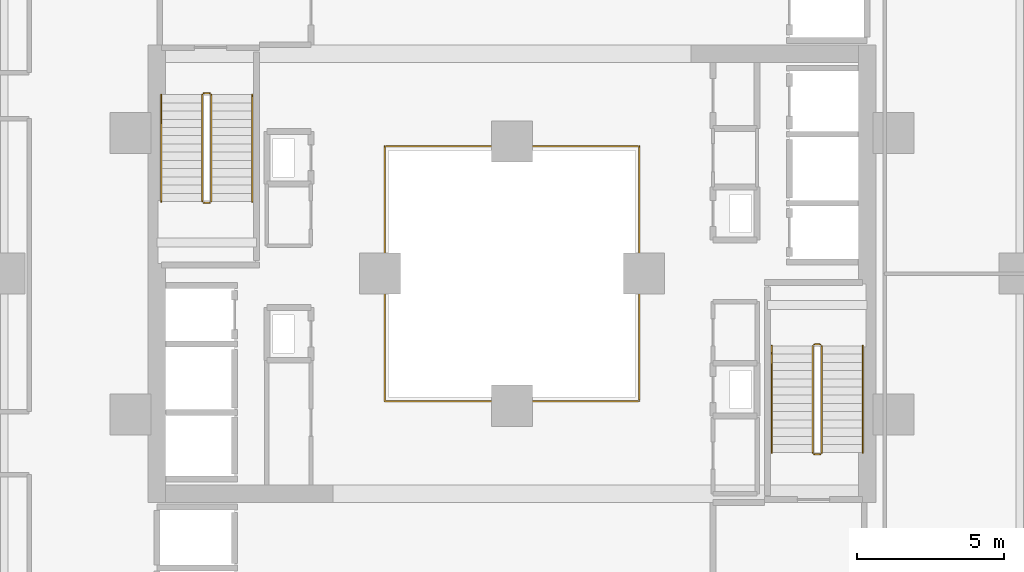
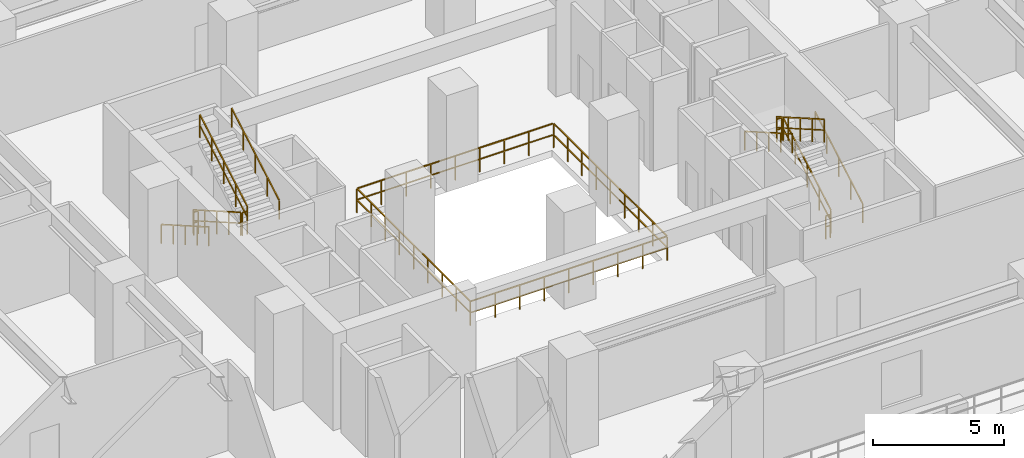
# One storey, part 24 of 24: 13 railings.
"""IFC4 building model written with IfcOpenShell, lengths in metres."""

from ifc_helpers import new_model, si_unit, direction, frame, origin, origin_2d, place, context, subcontext, project, spatial, rectangle, extrude, material, type_object, element, save


model = new_model("IFC4")

# Units and contexts
model_context = context("Model", 3, precision=1e-05, world=origin(), true_north=direction((0.0, 1.0)))
body_context = subcontext(model_context, "Body", "Model", "MODEL_VIEW")
ifc_project = project(units=[si_unit("LENGTHUNIT", "METRE"), si_unit("AREAUNIT", "SQUARE_METRE"), si_unit("VOLUMEUNIT", "CUBIC_METRE"), si_unit("PLANEANGLEUNIT", "RADIAN"), si_unit("MASSUNIT", "GRAM", prefix="KILO")], contexts=[model_context])

# Site, building, storey
site_placement = place(None, origin())
site = spatial("IfcSite", under=ifc_project, at=site_placement, CompositionType="ELEMENT")
building_placement = place(site_placement, origin())
building = spatial("IfcBuilding", under=site, at=building_placement, Name="Thornwick Lancets Civic Towers", CompositionType="ELEMENT")
storey_placement = place(building_placement, frame((0.0, 0.0, 14.10009765625)))
storey = spatial("IfcBuildingStorey", under=building, at=storey_placement, Name="L03", CompositionType="ELEMENT", Elevation=14.10009765625)

# Railings
ifc_material_1 = material(Name="Laminated glass and bronze steel S355", Category="steel")
railing_type_1 = type_object("IfcRailingType", Name="RAIL_ATRIUM_GUARD", PredefinedType="BALUSTRADE", material=ifc_material_1)
railing_1_placement = place(storey_placement, frame((84.159912109375, 22.659912109375, 0.0)))
element("IfcRailing", 1, at=railing_1_placement, inside=storey, type_object=railing_type_1, Name="L03 Tower B Central Atrium Guard Balustrade", PredefinedType="BALUSTRADE", context=body_context, shape_type="SweptSolid", body=[
    extrude(rectangle(XDim=0.048095703125, YDim=0.048095703125, at=origin_2d()), frame((0.0, 0.0, 1.1259765625), z_axis=(1.0, 0.0, 0.0), x_axis=(0.0, 1.0, 0.0)), (0.0, 0.0, 1.0), 8.64892578125),
    extrude(rectangle(XDim=0.0419921875, YDim=0.0419921875, at=origin_2d()), frame((0.03759765625, 0.0, 0.597900390625), z_axis=(1.0, 0.0, 0.0), x_axis=(0.0, 1.0, 0.0)), (0.0, 0.0, 1.0), 1.010009765625),
    extrude(rectangle(XDim=0.0419921875, YDim=0.0419921875, at=origin_2d()), frame((1.12255859375, 0.0, 0.597900390625), z_axis=(1.0, 0.0, 0.0), x_axis=(0.0, 1.0, 0.0)), (0.0, 0.0, 1.0), 1.010009765625),
    extrude(rectangle(XDim=0.0419921875, YDim=0.0419921875, at=origin_2d()), frame((2.20751953125, 0.0, 0.597900390625), z_axis=(1.0, 0.0, 0.0), x_axis=(0.0, 1.0, 0.0)), (0.0, 0.0, 1.0), 1.010009765625),
    extrude(rectangle(XDim=0.0419921875, YDim=0.0419921875, at=origin_2d()), frame((3.29248046875, 0.0, 0.597900390625), z_axis=(1.0, 0.0, 0.0), x_axis=(0.0, 1.0, 0.0)), (0.0, 0.0, 1.0), 1.010009765625),
    extrude(rectangle(XDim=0.0419921875, YDim=0.0419921875, at=origin_2d()), frame((4.377685546875, 0.0, 0.597900390625), z_axis=(1.0, 0.0, 0.0), x_axis=(0.0, 1.0, 0.0)), (0.0, 0.0, 1.0), 1.010009765625),
    extrude(rectangle(XDim=0.0419921875, YDim=0.0419921875, at=origin_2d()), frame((5.462646484375, 0.0, 0.597900390625), z_axis=(1.0, 0.0, 0.0), x_axis=(0.0, 1.0, 0.0)), (0.0, 0.0, 1.0), 1.010009765625),
    extrude(rectangle(XDim=0.0419921875, YDim=0.0419921875, at=origin_2d()), frame((6.547607421875, 0.0, 0.597900390625), z_axis=(1.0, 0.0, 0.0), x_axis=(0.0, 1.0, 0.0)), (0.0, 0.0, 1.0), 1.010009765625),
    extrude(rectangle(XDim=0.0419921875, YDim=0.0419921875, at=origin_2d()), frame((7.632568359375, 0.0, 0.597900390625), z_axis=(1.0, 0.0, 0.0), x_axis=(0.0, 1.0, 0.0)), (0.0, 0.0, 1.0), 1.010009765625),
    extrude(rectangle(XDim=0.048095703125, YDim=0.048095703125, at=origin_2d()), frame((8.68017578125, 0.03125, 1.1259765625), z_axis=(0.0, 1.0, 0.0), x_axis=(-1.0, 0.0, 0.0)), (0.0, 0.0, 1.0), 8.61767578125),
    extrude(rectangle(XDim=0.0419921875, YDim=0.0419921875, at=origin_2d()), frame((8.68017578125, 0.03759765625, 0.597900390625), z_axis=(0.0, 1.0, 0.0), x_axis=(-1.0, 0.0, 0.0)), (0.0, 0.0, 1.0), 1.010009765625),
    extrude(rectangle(XDim=0.0419921875, YDim=0.0419921875, at=origin_2d()), frame((8.68017578125, 1.12255859375, 0.597900390625), z_axis=(0.0, 1.0, 0.0), x_axis=(-1.0, 0.0, 0.0)), (0.0, 0.0, 1.0), 1.010009765625),
    extrude(rectangle(XDim=0.0419921875, YDim=0.0419921875, at=origin_2d()), frame((8.68017578125, 2.20751953125, 0.597900390625), z_axis=(0.0, 1.0, 0.0), x_axis=(-1.0, 0.0, 0.0)), (0.0, 0.0, 1.0), 1.010009765625),
    extrude(rectangle(XDim=0.0419921875, YDim=0.0419921875, at=origin_2d()), frame((8.68017578125, 3.29248046875, 0.597900390625), z_axis=(0.0, 1.0, 0.0), x_axis=(-1.0, 0.0, 0.0)), (0.0, 0.0, 1.0), 1.010009765625),
    extrude(rectangle(XDim=0.0419921875, YDim=0.0419921875, at=origin_2d()), frame((8.68017578125, 4.377685546875, 0.597900390625), z_axis=(0.0, 1.0, 0.0), x_axis=(-1.0, 0.0, 0.0)), (0.0, 0.0, 1.0), 1.010009765625),
    extrude(rectangle(XDim=0.0419921875, YDim=0.0419921875, at=origin_2d()), frame((8.68017578125, 5.462646484375, 0.597900390625), z_axis=(0.0, 1.0, 0.0), x_axis=(-1.0, 0.0, 0.0)), (0.0, 0.0, 1.0), 1.010009765625),
    extrude(rectangle(XDim=0.0419921875, YDim=0.0419921875, at=origin_2d()), frame((8.68017578125, 6.547607421875, 0.597900390625), z_axis=(0.0, 1.0, 0.0), x_axis=(-1.0, 0.0, 0.0)), (0.0, 0.0, 1.0), 1.010009765625),
    extrude(rectangle(XDim=0.0419921875, YDim=0.0419921875, at=origin_2d()), frame((8.68017578125, 7.632568359375, 0.597900390625), z_axis=(0.0, 1.0, 0.0), x_axis=(-1.0, 0.0, 0.0)), (0.0, 0.0, 1.0), 1.010009765625),
    extrude(rectangle(XDim=0.048095703125, YDim=0.048095703125, at=origin_2d()), frame((8.64892578125, 8.68017578125, 1.1259765625), z_axis=(-1.0, 0.0, 0.0), x_axis=(0.0, -1.0, 0.0)), (0.0, 0.0, 1.0), 8.61767578125),
    extrude(rectangle(XDim=0.0419921875, YDim=0.0419921875, at=origin_2d()), frame((8.642578125, 8.68017578125, 0.597900390625), z_axis=(-1.0, 0.0, 0.0), x_axis=(0.0, -1.0, 0.0)), (0.0, 0.0, 1.0), 1.010009765625),
    extrude(rectangle(XDim=0.0419921875, YDim=0.0419921875, at=origin_2d()), frame((7.5576171875, 8.68017578125, 0.597900390625), z_axis=(-1.0, 0.0, 0.0), x_axis=(0.0, -1.0, 0.0)), (0.0, 0.0, 1.0), 1.010009765625),
    extrude(rectangle(XDim=0.0419921875, YDim=0.0419921875, at=origin_2d()), frame((6.47265625, 8.68017578125, 0.597900390625), z_axis=(-1.0, 0.0, 0.0), x_axis=(0.0, -1.0, 0.0)), (0.0, 0.0, 1.0), 1.010009765625),
    extrude(rectangle(XDim=0.0419921875, YDim=0.0419921875, at=origin_2d()), frame((5.3876953125, 8.68017578125, 0.597900390625), z_axis=(-1.0, 0.0, 0.0), x_axis=(0.0, -1.0, 0.0)), (0.0, 0.0, 1.0), 1.010009765625),
    extrude(rectangle(XDim=0.0419921875, YDim=0.0419921875, at=origin_2d()), frame((4.302490234375, 8.68017578125, 0.597900390625), z_axis=(-1.0, 0.0, 0.0), x_axis=(0.0, -1.0, 0.0)), (0.0, 0.0, 1.0), 1.010009765625),
    extrude(rectangle(XDim=0.0419921875, YDim=0.0419921875, at=origin_2d()), frame((3.217529296875, 8.68017578125, 0.597900390625), z_axis=(-1.0, 0.0, 0.0), x_axis=(0.0, -1.0, 0.0)), (0.0, 0.0, 1.0), 1.010009765625),
    extrude(rectangle(XDim=0.0419921875, YDim=0.0419921875, at=origin_2d()), frame((2.132568359375, 8.68017578125, 0.597900390625), z_axis=(-1.0, 0.0, 0.0), x_axis=(0.0, -1.0, 0.0)), (0.0, 0.0, 1.0), 1.010009765625),
    extrude(rectangle(XDim=0.0419921875, YDim=0.0419921875, at=origin_2d()), frame((1.047607421875, 8.68017578125, 0.597900390625), z_axis=(-1.0, 0.0, 0.0), x_axis=(0.0, -1.0, 0.0)), (0.0, 0.0, 1.0), 1.010009765625),
    extrude(rectangle(XDim=0.048095703125, YDim=0.048095703125, at=origin_2d()), frame((0.0, 8.64892578125, 1.1259765625), z_axis=(0.0, -1.0, 0.0), x_axis=(1.0, 0.0, 0.0)), (0.0, 0.0, 1.0), 8.64892578125),
    extrude(rectangle(XDim=0.0419921875, YDim=0.0419921875, at=origin_2d()), frame((0.0, 8.642578125, 0.597900390625), z_axis=(0.0, -1.0, 0.0), x_axis=(1.0, 0.0, 0.0)), (0.0, 0.0, 1.0), 1.010009765625),
    extrude(rectangle(XDim=0.0419921875, YDim=0.0419921875, at=origin_2d()), frame((0.0, 7.5576171875, 0.597900390625), z_axis=(0.0, -1.0, 0.0), x_axis=(1.0, 0.0, 0.0)), (0.0, 0.0, 1.0), 1.010009765625),
    extrude(rectangle(XDim=0.0419921875, YDim=0.0419921875, at=origin_2d()), frame((0.0, 6.47265625, 0.597900390625), z_axis=(0.0, -1.0, 0.0), x_axis=(1.0, 0.0, 0.0)), (0.0, 0.0, 1.0), 1.010009765625),
    extrude(rectangle(XDim=0.0419921875, YDim=0.0419921875, at=origin_2d()), frame((0.0, 5.3876953125, 0.597900390625), z_axis=(0.0, -1.0, 0.0), x_axis=(1.0, 0.0, 0.0)), (0.0, 0.0, 1.0), 1.010009765625),
    extrude(rectangle(XDim=0.0419921875, YDim=0.0419921875, at=origin_2d()), frame((0.0, 4.302490234375, 0.597900390625), z_axis=(0.0, -1.0, 0.0), x_axis=(1.0, 0.0, 0.0)), (0.0, 0.0, 1.0), 1.010009765625),
    extrude(rectangle(XDim=0.0419921875, YDim=0.0419921875, at=origin_2d()), frame((0.0, 3.217529296875, 0.597900390625), z_axis=(0.0, -1.0, 0.0), x_axis=(1.0, 0.0, 0.0)), (0.0, 0.0, 1.0), 1.010009765625),
    extrude(rectangle(XDim=0.0419921875, YDim=0.0419921875, at=origin_2d()), frame((0.0, 2.132568359375, 0.597900390625), z_axis=(0.0, -1.0, 0.0), x_axis=(1.0, 0.0, 0.0)), (0.0, 0.0, 1.0), 1.010009765625),
    extrude(rectangle(XDim=0.0419921875, YDim=0.0419921875, at=origin_2d()), frame((0.0, 1.047607421875, 0.597900390625), z_axis=(0.0, -1.0, 0.0), x_axis=(1.0, 0.0, 0.0)), (0.0, 0.0, 1.0), 1.010009765625),
    extrude(rectangle(XDim=0.0419921875, YDim=0.0419921875, at=origin_2d()), origin(), (0.0, 0.0, 1.0), 1.095703125),
    extrude(rectangle(XDim=0.0419921875, YDim=0.0419921875, at=origin_2d()), frame((1.0849609375, 0.0, 0.0)), (0.0, 0.0, 1.0), 1.095703125),
    extrude(rectangle(XDim=0.0419921875, YDim=0.0419921875, at=origin_2d()), frame((2.169921875, 0.0, 0.0)), (0.0, 0.0, 1.0), 1.095703125),
    extrude(rectangle(XDim=0.0419921875, YDim=0.0419921875, at=origin_2d()), frame((3.255126953125, 0.0, 0.0)), (0.0, 0.0, 1.0), 1.095703125),
    extrude(rectangle(XDim=0.0419921875, YDim=0.0419921875, at=origin_2d()), frame((4.340087890625, 0.0, 0.0)), (0.0, 0.0, 1.0), 1.095703125),
    extrude(rectangle(XDim=0.0419921875, YDim=0.0419921875, at=origin_2d()), frame((5.425048828125, 0.0, 0.0)), (0.0, 0.0, 1.0), 1.095703125),
    extrude(rectangle(XDim=0.0419921875, YDim=0.0419921875, at=origin_2d()), frame((6.51025390625, 0.0, 0.0)), (0.0, 0.0, 1.0), 1.095703125),
    extrude(rectangle(XDim=0.0419921875, YDim=0.0419921875, at=origin_2d()), frame((7.59521484375, 0.0, 0.0)), (0.0, 0.0, 1.0), 1.095703125),
    extrude(rectangle(XDim=0.0419921875, YDim=0.0419921875, at=origin_2d()), frame((8.68017578125, 0.0, 0.0)), (0.0, 0.0, 1.0), 1.095703125),
    extrude(rectangle(XDim=0.0419921875, YDim=0.0419921875, at=origin_2d()), frame((8.68017578125, 1.0849609375, 0.0)), (0.0, 0.0, 1.0), 1.095703125),
    extrude(rectangle(XDim=0.0419921875, YDim=0.0419921875, at=origin_2d()), frame((8.68017578125, 2.169921875, 0.0)), (0.0, 0.0, 1.0), 1.095703125),
    extrude(rectangle(XDim=0.0419921875, YDim=0.0419921875, at=origin_2d()), frame((8.68017578125, 3.255126953125, 0.0)), (0.0, 0.0, 1.0), 1.095703125),
    extrude(rectangle(XDim=0.0419921875, YDim=0.0419921875, at=origin_2d()), frame((8.68017578125, 4.340087890625, 0.0)), (0.0, 0.0, 1.0), 1.095703125),
    extrude(rectangle(XDim=0.0419921875, YDim=0.0419921875, at=origin_2d()), frame((8.68017578125, 5.425048828125, 0.0)), (0.0, 0.0, 1.0), 1.095703125),
    extrude(rectangle(XDim=0.0419921875, YDim=0.0419921875, at=origin_2d()), frame((8.68017578125, 6.51025390625, 0.0)), (0.0, 0.0, 1.0), 1.095703125),
    extrude(rectangle(XDim=0.0419921875, YDim=0.0419921875, at=origin_2d()), frame((8.68017578125, 7.59521484375, 0.0)), (0.0, 0.0, 1.0), 1.095703125),
    extrude(rectangle(XDim=0.0419921875, YDim=0.0419921875, at=origin_2d()), frame((8.68017578125, 8.68017578125, 0.0)), (0.0, 0.0, 1.0), 1.095703125),
    extrude(rectangle(XDim=0.0419921875, YDim=0.0419921875, at=origin_2d()), frame((7.59521484375, 8.68017578125, 0.0)), (0.0, 0.0, 1.0), 1.095703125),
    extrude(rectangle(XDim=0.0419921875, YDim=0.0419921875, at=origin_2d()), frame((6.51025390625, 8.68017578125, 0.0)), (0.0, 0.0, 1.0), 1.095703125),
    extrude(rectangle(XDim=0.0419921875, YDim=0.0419921875, at=origin_2d()), frame((5.425048828125, 8.68017578125, 0.0)), (0.0, 0.0, 1.0), 1.095703125),
    extrude(rectangle(XDim=0.0419921875, YDim=0.0419921875, at=origin_2d()), frame((4.340087890625, 8.68017578125, 0.0)), (0.0, 0.0, 1.0), 1.095703125),
    extrude(rectangle(XDim=0.0419921875, YDim=0.0419921875, at=origin_2d()), frame((3.255126953125, 8.68017578125, 0.0)), (0.0, 0.0, 1.0), 1.095703125),
    extrude(rectangle(XDim=0.0419921875, YDim=0.0419921875, at=origin_2d()), frame((2.169921875, 8.68017578125, 0.0)), (0.0, 0.0, 1.0), 1.095703125),
    extrude(rectangle(XDim=0.0419921875, YDim=0.0419921875, at=origin_2d()), frame((1.0849609375, 8.68017578125, 0.0)), (0.0, 0.0, 1.0), 1.095703125),
    extrude(rectangle(XDim=0.0419921875, YDim=0.0419921875, at=origin_2d()), frame((0.0, 8.68017578125, 0.0)), (0.0, 0.0, 1.0), 1.095703125),
    extrude(rectangle(XDim=0.0419921875, YDim=0.0419921875, at=origin_2d()), frame((0.0, 7.59521484375, 0.0)), (0.0, 0.0, 1.0), 1.095703125),
    extrude(rectangle(XDim=0.0419921875, YDim=0.0419921875, at=origin_2d()), frame((0.0, 6.51025390625, 0.0)), (0.0, 0.0, 1.0), 1.095703125),
    extrude(rectangle(XDim=0.0419921875, YDim=0.0419921875, at=origin_2d()), frame((0.0, 5.425048828125, 0.0)), (0.0, 0.0, 1.0), 1.095703125),
    extrude(rectangle(XDim=0.0419921875, YDim=0.0419921875, at=origin_2d()), frame((0.0, 4.340087890625, 0.0)), (0.0, 0.0, 1.0), 1.095703125),
    extrude(rectangle(XDim=0.0419921875, YDim=0.0419921875, at=origin_2d()), frame((0.0, 3.255126953125, 0.0)), (0.0, 0.0, 1.0), 1.095703125),
    extrude(rectangle(XDim=0.0419921875, YDim=0.0419921875, at=origin_2d()), frame((0.0, 2.169921875, 0.0)), (0.0, 0.0, 1.0), 1.095703125),
    extrude(rectangle(XDim=0.0419921875, YDim=0.0419921875, at=origin_2d()), frame((0.0, 1.0849609375, 0.0)), (0.0, 0.0, 1.0), 1.095703125),
])
ifc_material_2 = material(Name="Brushed stainless steel S355", Category="steel")
railing_type_2 = type_object("IfcRailingType", Name="RAIL_HANDRAIL", PredefinedType="HANDRAIL", material=ifc_material_2)
railing_2_placement = place(storey_placement, frame((100.449951171875, 20.89990234375, 0.16064453125)))
element("IfcRailing", 2, at=railing_2_placement, inside=storey, type_object=railing_type_2, Name="L03 ST-B1 stair handrail 1", PredefinedType="HANDRAIL", context=body_context, shape_type="SweptSolid", body=[
    extrude(rectangle(XDim=0.048095703125, YDim=0.048095703125, at=origin_2d()), frame((0.0, 0.0, 0.8857421875), z_axis=(0.0, 0.867289372828, 0.497804322781), x_axis=(-1.0, 0.0, 0.0)), (0.0, 0.0, 1.0), 4.197021484375),
    extrude(rectangle(XDim=0.0419921875, YDim=0.0419921875, at=origin_2d()), origin(), (0.0, 0.0, 1.0), 0.855712890625),
    extrude(rectangle(XDim=0.0419921875, YDim=0.0419921875, at=origin_2d()), frame((0.0, 0.91015625, 0.5224609375)), (0.0, 0.0, 1.0), 0.855712890625),
    extrude(rectangle(XDim=0.0419921875, YDim=0.0419921875, at=origin_2d()), frame((0.0, 1.820068359375, 1.044677734375)), (0.0, 0.0, 1.0), 0.855712890625),
    extrude(rectangle(XDim=0.0419921875, YDim=0.0419921875, at=origin_2d()), frame((0.0, 2.72998046875, 1.56689453125)), (0.0, 0.0, 1.0), 0.855712890625),
    extrude(rectangle(XDim=0.0419921875, YDim=0.0419921875, at=origin_2d()), frame((0.0, 3.64013671875, 2.08935546875)), (0.0, 0.0, 1.0), 0.855712890625),
])
for number, where, name in (
    (3, (97.35009765625, 24.5400390625, 2.41064453125), "L03 ST-B1 stair handrail 2"),
    (4, (76.550048828125, 33.10009765625, 0.16064453125), "L03 ST-B2 stair handrail 1"),
):
    element("IfcRailing", number, at=place(storey_placement, frame(where)), inside=storey, type_object=railing_type_2, Name=name, PredefinedType="HANDRAIL", context=body_context, shape_type="SweptSolid", body=[
        extrude(rectangle(XDim=0.048095703125, YDim=0.048095703125, at=origin_2d()), frame((0.0, 0.0, 0.8857421875), z_axis=(0.0, -0.867289372828, 0.497804322781), x_axis=(1.0, 0.0, 0.0)), (0.0, 0.0, 1.0), 4.197021484375),
        extrude(rectangle(XDim=0.0419921875, YDim=0.0419921875, at=origin_2d()), origin(), (0.0, 0.0, 1.0), 0.855712890625),
        extrude(rectangle(XDim=0.0419921875, YDim=0.0419921875, at=origin_2d()), frame((0.0, -0.91015625, 0.5224609375)), (0.0, 0.0, 1.0), 0.855712890625),
        extrude(rectangle(XDim=0.0419921875, YDim=0.0419921875, at=origin_2d()), frame((0.0, -1.820068359375, 1.044677734375)), (0.0, 0.0, 1.0), 0.855712890625),
        extrude(rectangle(XDim=0.0419921875, YDim=0.0419921875, at=origin_2d()), frame((0.0, -2.72998046875, 1.56689453125)), (0.0, 0.0, 1.0), 0.855712890625),
        extrude(rectangle(XDim=0.0419921875, YDim=0.0419921875, at=origin_2d()), frame((0.0, -3.64013671875, 2.08935546875)), (0.0, 0.0, 1.0), 0.855712890625),
    ])
railing_3_placement = place(storey_placement, frame((79.64990234375, 29.4599609375, 2.41064453125)))
element("IfcRailing", 5, at=railing_3_placement, inside=storey, type_object=railing_type_2, Name="L03 ST-B2 stair handrail 2", PredefinedType="HANDRAIL", context=body_context, shape_type="SweptSolid", body=[
    extrude(rectangle(XDim=0.048095703125, YDim=0.048095703125, at=origin_2d()), frame((0.0, 0.0, 0.8857421875), z_axis=(0.0, 0.867289372828, 0.497804322781), x_axis=(-1.0, 0.0, 0.0)), (0.0, 0.0, 1.0), 4.197021484375),
    extrude(rectangle(XDim=0.0419921875, YDim=0.0419921875, at=origin_2d()), origin(), (0.0, 0.0, 1.0), 0.855712890625),
    extrude(rectangle(XDim=0.0419921875, YDim=0.0419921875, at=origin_2d()), frame((0.0, 0.91015625, 0.5224609375)), (0.0, 0.0, 1.0), 0.855712890625),
    extrude(rectangle(XDim=0.0419921875, YDim=0.0419921875, at=origin_2d()), frame((0.0, 1.820068359375, 1.044677734375)), (0.0, 0.0, 1.0), 0.855712890625),
    extrude(rectangle(XDim=0.0419921875, YDim=0.0419921875, at=origin_2d()), frame((0.0, 2.72998046875, 1.56689453125)), (0.0, 0.0, 1.0), 0.855712890625),
    extrude(rectangle(XDim=0.0419921875, YDim=0.0419921875, at=origin_2d()), frame((0.0, 3.64013671875, 2.08935546875)), (0.0, 0.0, 1.0), 0.855712890625),
])
ifc_material_3 = material(Name="Steel S355JR", Category="steel")
railing_type_3 = type_object("IfcRailingType", Name="RAIL_STAIR_GUARD", PredefinedType="GUARDRAIL", material=ifc_material_3)
railing_4_placement = place(storey_placement, frame((99.050048828125, 20.89990234375, 0.16064453125)))
element("IfcRailing", 6, at=railing_4_placement, inside=storey, type_object=railing_type_3, Name="L03 ST-B1 stair guard 1", PredefinedType="GUARDRAIL", context=body_context, shape_type="SweptSolid", body=[
    extrude(rectangle(XDim=0.048095703125, YDim=0.048095703125, at=origin_2d()), frame((0.0, 0.0, 1.076171875), z_axis=(0.0, 0.867289372828, 0.497804322781), x_axis=(-1.0, 0.0, 0.0)), (0.0, 0.0, 1.0), 4.197021484375),
    extrude(rectangle(XDim=0.0419921875, YDim=0.0419921875, at=origin_2d()), frame((0.0, 0.032470703125, 0.5908203125), z_axis=(0.0, 0.867289372828, 0.497804322781), x_axis=(-1.0, 0.0, 0.0)), (0.0, 0.0, 1.0), 0.974365234375),
    extrude(rectangle(XDim=0.0419921875, YDim=0.0419921875, at=origin_2d()), frame((0.0, 0.942626953125, 1.113037109375), z_axis=(0.0, 0.867289372828, 0.497804322781), x_axis=(-1.0, 0.0, 0.0)), (0.0, 0.0, 1.0), 0.974365234375),
    extrude(rectangle(XDim=0.0419921875, YDim=0.0419921875, at=origin_2d()), frame((0.0, 1.8525390625, 1.635498046875), z_axis=(0.0, 0.867289372828, 0.497804322781), x_axis=(-1.0, 0.0, 0.0)), (0.0, 0.0, 1.0), 0.974365234375),
    extrude(rectangle(XDim=0.0419921875, YDim=0.0419921875, at=origin_2d()), frame((0.0, 2.7626953125, 2.15771484375), z_axis=(0.0, 0.867289372828, 0.497804322781), x_axis=(-1.0, 0.0, 0.0)), (0.0, 0.0, 1.0), 0.974365234375),
    extrude(rectangle(XDim=0.0419921875, YDim=0.0419921875, at=origin_2d()), origin(), (0.0, 0.0, 1.0), 1.0458984375),
    extrude(rectangle(XDim=0.0419921875, YDim=0.0419921875, at=origin_2d()), frame((0.0, 0.91015625, 0.5224609375)), (0.0, 0.0, 1.0), 1.0458984375),
    extrude(rectangle(XDim=0.0419921875, YDim=0.0419921875, at=origin_2d()), frame((0.0, 1.820068359375, 1.044677734375)), (0.0, 0.0, 1.0), 1.0458984375),
    extrude(rectangle(XDim=0.0419921875, YDim=0.0419921875, at=origin_2d()), frame((0.0, 2.72998046875, 1.56689453125)), (0.0, 0.0, 1.0), 1.0458984375),
    extrude(rectangle(XDim=0.0419921875, YDim=0.0419921875, at=origin_2d()), frame((0.0, 3.64013671875, 2.08935546875)), (0.0, 0.0, 1.0), 1.0458984375),
])
railing_5_placement = place(storey_placement, frame((99.0, 24.590087890625, 2.25)))
element("IfcRailing", 7, at=railing_5_placement, inside=storey, type_object=railing_type_3, Name="L03 ST-B1 stair guard 2", PredefinedType="GUARDRAIL", context=body_context, shape_type="SweptSolid", body=[
    extrude(rectangle(XDim=0.048095703125, YDim=0.048095703125, at=origin_2d()), frame((0.0, 0.0, 1.076171875), z_axis=(-1.0, 0.0, 0.0), x_axis=(0.0, -1.0, 0.0)), (0.0, 0.0, 1.0), 0.199951171875),
    extrude(rectangle(XDim=0.0419921875, YDim=0.0419921875, at=origin_2d()), frame((-0.03759765625, 0.0, 0.572021484375), z_axis=(-1.0, 0.0, 0.0), x_axis=(0.0, -1.0, 0.0)), (0.0, 0.0, 1.0), 0.125),
    extrude(rectangle(XDim=0.0419921875, YDim=0.0419921875, at=origin_2d()), origin(), (0.0, 0.0, 1.0), 1.0458984375),
    extrude(rectangle(XDim=0.0419921875, YDim=0.0419921875, at=origin_2d()), frame((-0.199951171875, 0.0, 0.0)), (0.0, 0.0, 1.0), 1.0458984375),
])
railing_6_placement = place(storey_placement, frame((98.75, 24.5400390625, 2.41064453125)))
element("IfcRailing", 8, at=railing_6_placement, inside=storey, type_object=railing_type_3, Name="L03 ST-B1 stair guard 3", PredefinedType="GUARDRAIL", context=body_context, shape_type="SweptSolid", body=[
    extrude(rectangle(XDim=0.048095703125, YDim=0.048095703125, at=origin_2d()), frame((0.0, 0.0, 1.076171875), z_axis=(0.0, -0.867289372828, 0.497804322781), x_axis=(1.0, 0.0, 0.0)), (0.0, 0.0, 1.0), 4.197021484375),
    extrude(rectangle(XDim=0.0419921875, YDim=0.0419921875, at=origin_2d()), frame((0.0, -0.032470703125, 0.5908203125), z_axis=(0.0, -0.867289372828, 0.497804322781), x_axis=(1.0, 0.0, 0.0)), (0.0, 0.0, 1.0), 0.974365234375),
    extrude(rectangle(XDim=0.0419921875, YDim=0.0419921875, at=origin_2d()), frame((0.0, -0.942626953125, 1.113037109375), z_axis=(0.0, -0.867289372828, 0.497804322781), x_axis=(1.0, 0.0, 0.0)), (0.0, 0.0, 1.0), 0.974365234375),
    extrude(rectangle(XDim=0.0419921875, YDim=0.0419921875, at=origin_2d()), frame((0.0, -1.8525390625, 1.635498046875), z_axis=(0.0, -0.867289372828, 0.497804322781), x_axis=(1.0, 0.0, 0.0)), (0.0, 0.0, 1.0), 0.974365234375),
    extrude(rectangle(XDim=0.0419921875, YDim=0.0419921875, at=origin_2d()), frame((0.0, -2.7626953125, 2.15771484375), z_axis=(0.0, -0.867289372828, 0.497804322781), x_axis=(1.0, 0.0, 0.0)), (0.0, 0.0, 1.0), 0.974365234375),
    extrude(rectangle(XDim=0.0419921875, YDim=0.0419921875, at=origin_2d()), origin(), (0.0, 0.0, 1.0), 1.0458984375),
    extrude(rectangle(XDim=0.0419921875, YDim=0.0419921875, at=origin_2d()), frame((0.0, -0.91015625, 0.5224609375)), (0.0, 0.0, 1.0), 1.0458984375),
    extrude(rectangle(XDim=0.0419921875, YDim=0.0419921875, at=origin_2d()), frame((0.0, -1.820068359375, 1.044677734375)), (0.0, 0.0, 1.0), 1.0458984375),
    extrude(rectangle(XDim=0.0419921875, YDim=0.0419921875, at=origin_2d()), frame((0.0, -2.72998046875, 1.56689453125)), (0.0, 0.0, 1.0), 1.0458984375),
    extrude(rectangle(XDim=0.0419921875, YDim=0.0419921875, at=origin_2d()), frame((0.0, -3.64013671875, 2.08935546875)), (0.0, 0.0, 1.0), 1.0458984375),
])
railing_7_placement = place(storey_placement, frame((99.0, 20.85009765625, 0.0)))
element("IfcRailing", 9, at=railing_7_placement, inside=storey, type_object=railing_type_3, Name="L03 ST-B1 stair guard 4", PredefinedType="GUARDRAIL", context=body_context, shape_type="SweptSolid", body=[
    extrude(rectangle(XDim=0.048095703125, YDim=0.048095703125, at=origin_2d()), frame((0.0, 0.0, 1.076171875), z_axis=(-1.0, 0.0, 0.0), x_axis=(0.0, -1.0, 0.0)), (0.0, 0.0, 1.0), 0.199951171875),
    extrude(rectangle(XDim=0.0419921875, YDim=0.0419921875, at=origin_2d()), frame((-0.03759765625, 0.0, 0.572021484375), z_axis=(-1.0, 0.0, 0.0), x_axis=(0.0, -1.0, 0.0)), (0.0, 0.0, 1.0), 0.125),
    extrude(rectangle(XDim=0.0419921875, YDim=0.0419921875, at=origin_2d()), origin(), (0.0, 0.0, 1.0), 1.0458984375),
    extrude(rectangle(XDim=0.0419921875, YDim=0.0419921875, at=origin_2d()), frame((-0.199951171875, 0.0, 0.0)), (0.0, 0.0, 1.0), 1.0458984375),
])
railing_8_placement = place(storey_placement, frame((77.949951171875, 33.10009765625, 0.16064453125)))
element("IfcRailing", 10, at=railing_8_placement, inside=storey, type_object=railing_type_3, Name="L03 ST-B2 stair guard 1", PredefinedType="GUARDRAIL", context=body_context, shape_type="SweptSolid", body=[
    extrude(rectangle(XDim=0.048095703125, YDim=0.048095703125, at=origin_2d()), frame((0.0, 0.0, 1.076171875), z_axis=(0.0, -0.867289372828, 0.497804322781), x_axis=(1.0, 0.0, 0.0)), (0.0, 0.0, 1.0), 4.197021484375),
    extrude(rectangle(XDim=0.0419921875, YDim=0.0419921875, at=origin_2d()), frame((0.0, -0.032470703125, 0.5908203125), z_axis=(0.0, -0.867289372828, 0.497804322781), x_axis=(1.0, 0.0, 0.0)), (0.0, 0.0, 1.0), 0.974365234375),
    extrude(rectangle(XDim=0.0419921875, YDim=0.0419921875, at=origin_2d()), frame((0.0, -0.942626953125, 1.113037109375), z_axis=(0.0, -0.867289372828, 0.497804322781), x_axis=(1.0, 0.0, 0.0)), (0.0, 0.0, 1.0), 0.974365234375),
    extrude(rectangle(XDim=0.0419921875, YDim=0.0419921875, at=origin_2d()), frame((0.0, -1.8525390625, 1.635498046875), z_axis=(0.0, -0.867289372828, 0.497804322781), x_axis=(1.0, 0.0, 0.0)), (0.0, 0.0, 1.0), 0.974365234375),
    extrude(rectangle(XDim=0.0419921875, YDim=0.0419921875, at=origin_2d()), frame((0.0, -2.7626953125, 2.15771484375), z_axis=(0.0, -0.867289372828, 0.497804322781), x_axis=(1.0, 0.0, 0.0)), (0.0, 0.0, 1.0), 0.974365234375),
    extrude(rectangle(XDim=0.0419921875, YDim=0.0419921875, at=origin_2d()), origin(), (0.0, 0.0, 1.0), 1.0458984375),
    extrude(rectangle(XDim=0.0419921875, YDim=0.0419921875, at=origin_2d()), frame((0.0, -0.91015625, 0.5224609375)), (0.0, 0.0, 1.0), 1.0458984375),
    extrude(rectangle(XDim=0.0419921875, YDim=0.0419921875, at=origin_2d()), frame((0.0, -1.820068359375, 1.044677734375)), (0.0, 0.0, 1.0), 1.0458984375),
    extrude(rectangle(XDim=0.0419921875, YDim=0.0419921875, at=origin_2d()), frame((0.0, -2.72998046875, 1.56689453125)), (0.0, 0.0, 1.0), 1.0458984375),
    extrude(rectangle(XDim=0.0419921875, YDim=0.0419921875, at=origin_2d()), frame((0.0, -3.64013671875, 2.08935546875)), (0.0, 0.0, 1.0), 1.0458984375),
])
railing_9_placement = place(storey_placement, frame((78.0, 29.409912109375, 2.25)))
element("IfcRailing", 11, at=railing_9_placement, inside=storey, type_object=railing_type_3, Name="L03 ST-B2 stair guard 2", PredefinedType="GUARDRAIL", context=body_context, shape_type="SweptSolid", body=[
    extrude(rectangle(XDim=0.048095703125, YDim=0.048095703125, at=origin_2d()), frame((0.0, 0.0, 1.076171875), z_axis=(1.0, 0.0, 0.0), x_axis=(0.0, 1.0, 0.0)), (0.0, 0.0, 1.0), 0.199951171875),
    extrude(rectangle(XDim=0.0419921875, YDim=0.0419921875, at=origin_2d()), frame((0.03759765625, 0.0, 0.572021484375), z_axis=(1.0, 0.0, 0.0), x_axis=(0.0, 1.0, 0.0)), (0.0, 0.0, 1.0), 0.125),
    extrude(rectangle(XDim=0.0419921875, YDim=0.0419921875, at=origin_2d()), origin(), (0.0, 0.0, 1.0), 1.0458984375),
    extrude(rectangle(XDim=0.0419921875, YDim=0.0419921875, at=origin_2d()), frame((0.199951171875, 0.0, 0.0)), (0.0, 0.0, 1.0), 1.0458984375),
])
railing_10_placement = place(storey_placement, frame((78.25, 29.4599609375, 2.41064453125)))
element("IfcRailing", 12, at=railing_10_placement, inside=storey, type_object=railing_type_3, Name="L03 ST-B2 stair guard 3", PredefinedType="GUARDRAIL", context=body_context, shape_type="SweptSolid", body=[
    extrude(rectangle(XDim=0.048095703125, YDim=0.048095703125, at=origin_2d()), frame((0.0, 0.0, 1.076171875), z_axis=(0.0, 0.867289372828, 0.497804322781), x_axis=(-1.0, 0.0, 0.0)), (0.0, 0.0, 1.0), 4.197021484375),
    extrude(rectangle(XDim=0.0419921875, YDim=0.0419921875, at=origin_2d()), frame((0.0, 0.032470703125, 0.5908203125), z_axis=(0.0, 0.867289372828, 0.497804322781), x_axis=(-1.0, 0.0, 0.0)), (0.0, 0.0, 1.0), 0.974365234375),
    extrude(rectangle(XDim=0.0419921875, YDim=0.0419921875, at=origin_2d()), frame((0.0, 0.942626953125, 1.113037109375), z_axis=(0.0, 0.867289372828, 0.497804322781), x_axis=(-1.0, 0.0, 0.0)), (0.0, 0.0, 1.0), 0.974365234375),
    extrude(rectangle(XDim=0.0419921875, YDim=0.0419921875, at=origin_2d()), frame((0.0, 1.8525390625, 1.635498046875), z_axis=(0.0, 0.867289372828, 0.497804322781), x_axis=(-1.0, 0.0, 0.0)), (0.0, 0.0, 1.0), 0.974365234375),
    extrude(rectangle(XDim=0.0419921875, YDim=0.0419921875, at=origin_2d()), frame((0.0, 2.7626953125, 2.15771484375), z_axis=(0.0, 0.867289372828, 0.497804322781), x_axis=(-1.0, 0.0, 0.0)), (0.0, 0.0, 1.0), 0.974365234375),
    extrude(rectangle(XDim=0.0419921875, YDim=0.0419921875, at=origin_2d()), origin(), (0.0, 0.0, 1.0), 1.0458984375),
    extrude(rectangle(XDim=0.0419921875, YDim=0.0419921875, at=origin_2d()), frame((0.0, 0.91015625, 0.5224609375)), (0.0, 0.0, 1.0), 1.0458984375),
    extrude(rectangle(XDim=0.0419921875, YDim=0.0419921875, at=origin_2d()), frame((0.0, 1.820068359375, 1.044677734375)), (0.0, 0.0, 1.0), 1.0458984375),
    extrude(rectangle(XDim=0.0419921875, YDim=0.0419921875, at=origin_2d()), frame((0.0, 2.72998046875, 1.56689453125)), (0.0, 0.0, 1.0), 1.0458984375),
    extrude(rectangle(XDim=0.0419921875, YDim=0.0419921875, at=origin_2d()), frame((0.0, 3.64013671875, 2.08935546875)), (0.0, 0.0, 1.0), 1.0458984375),
])
railing_11_placement = place(storey_placement, frame((78.0, 33.14990234375, 0.0)))
element("IfcRailing", 13, at=railing_11_placement, inside=storey, type_object=railing_type_3, Name="L03 ST-B2 stair guard 4", PredefinedType="GUARDRAIL", context=body_context, shape_type="SweptSolid", body=[
    extrude(rectangle(XDim=0.048095703125, YDim=0.048095703125, at=origin_2d()), frame((0.0, 0.0, 1.076171875), z_axis=(1.0, 0.0, 0.0), x_axis=(0.0, 1.0, 0.0)), (0.0, 0.0, 1.0), 0.199951171875),
    extrude(rectangle(XDim=0.0419921875, YDim=0.0419921875, at=origin_2d()), frame((0.03759765625, 0.0, 0.572021484375), z_axis=(1.0, 0.0, 0.0), x_axis=(0.0, 1.0, 0.0)), (0.0, 0.0, 1.0), 0.125),
    extrude(rectangle(XDim=0.0419921875, YDim=0.0419921875, at=origin_2d()), origin(), (0.0, 0.0, 1.0), 1.0458984375),
    extrude(rectangle(XDim=0.0419921875, YDim=0.0419921875, at=origin_2d()), frame((0.199951171875, 0.0, 0.0)), (0.0, 0.0, 1.0), 1.0458984375),
])

save(model, "model.ifc")
